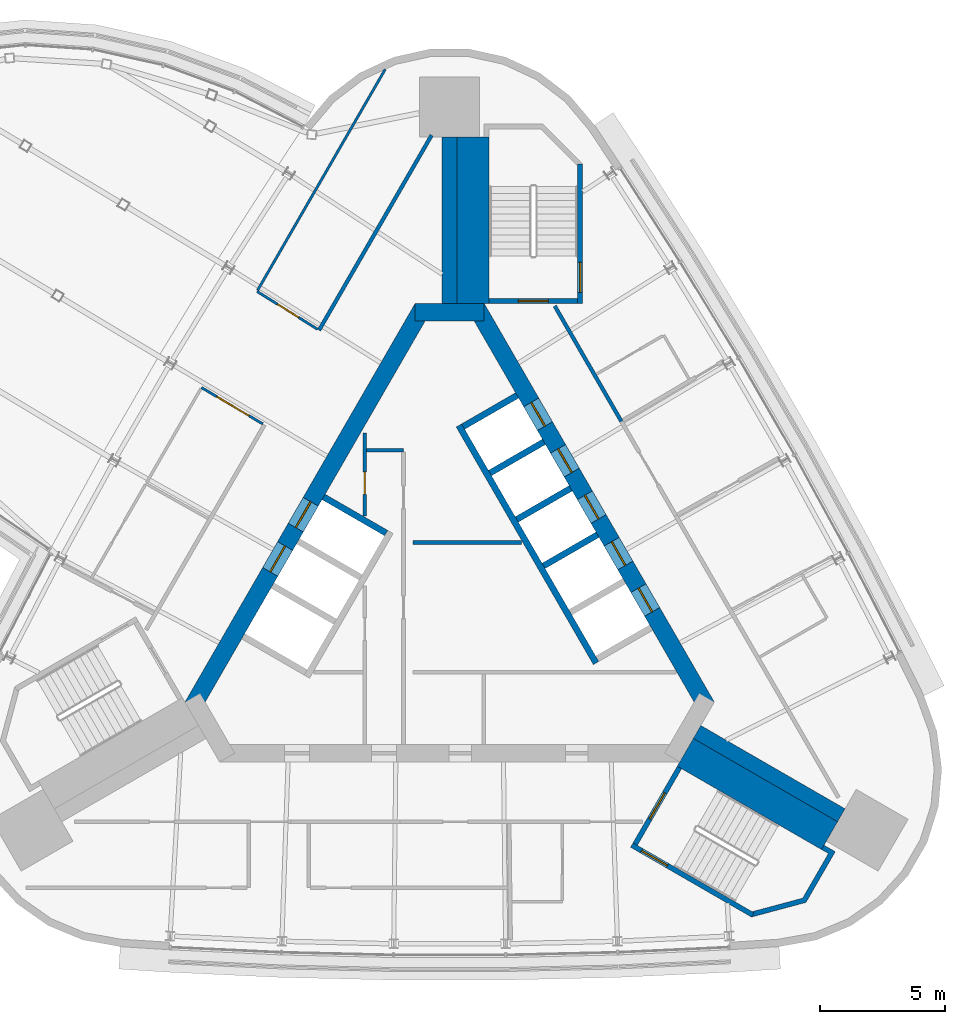
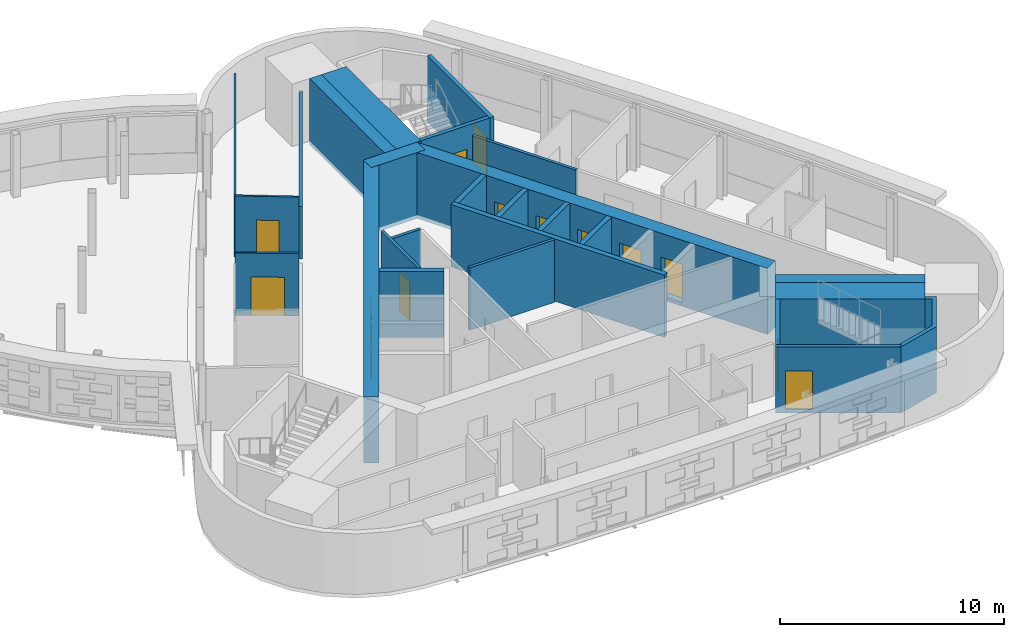
# One storey, part 10 of 13: 26 walls, 14 doors, 14 openings.
"""IFC4 building model written with IfcOpenShell, lengths in metres."""

from ifc_helpers import new_model, si_unit, direction, frame, frame_2d, origin, place, context, subcontext, project, spatial, polyline, rectangle, outline, extrude, material, layer, layer_set, type_object, element, fill, save


model = new_model("IFC4")

# Units and contexts
model_context = context("Model", 3, precision=1e-05, world=origin(), true_north=direction((0.0, 1.0)))
body_context = subcontext(model_context, "Body", "Model", "MODEL_VIEW")
ifc_project = project(units=[si_unit("LENGTHUNIT", "METRE"), si_unit("AREAUNIT", "SQUARE_METRE"), si_unit("VOLUMEUNIT", "CUBIC_METRE"), si_unit("PLANEANGLEUNIT", "RADIAN"), si_unit("MASSUNIT", "GRAM", prefix="KILO")], contexts=[model_context])

# Site, building, storey
site_placement = place(None, origin())
site = spatial("IfcSite", under=ifc_project, at=site_placement, CompositionType="ELEMENT")
building_placement = place(site_placement, origin())
building = spatial("IfcBuilding", under=site, at=building_placement, Name="Noor Cloister Tower", CompositionType="ELEMENT")
storey_placement = place(building_placement, frame((0.0, 0.0, 267.0)))
storey = spatial("IfcBuildingStorey", under=building, at=storey_placement, Name="L68", CompositionType="ELEMENT", Elevation=267.0)

# Walls
ifc_material_1 = material(Name="Concrete C60/75", Category="concrete")
ifc_layer_1 = layer(ifc_material_1, 0.60009765625)
ifc_layer_set_1 = layer_set([ifc_layer_1], Name="Buttress wall 600 C60/75")
wall_type_1 = type_object("IfcWallType", Name="Buttress wall 600 C60/75", PredefinedType="SHEAR", material=ifc_layer_set_1)
wall_1_placement = place(storey_placement, frame((0.0, 11.456298828125, -0.199951171875), z_axis=(0.0, 0.0, 1.0), x_axis=(0.0, 1.0, 0.0)))
element("IfcWall", 1, at=wall_1_placement, inside=storey, type_object=wall_type_1, Name="Buttress wall N L68", PredefinedType="SHEAR", context=body_context, shape_type="SweptSolid", body=[
    extrude(rectangle(XDim=6.6787109375, YDim=0.60009765625, at=frame_2d((3.33935546875, 0.0))), origin(), (0.0, 0.0, 1.0), 3.599853515625),
])
wall_2_placement = place(storey_placement, frame((9.921630859375, -5.728271484375, -0.199951171875), z_axis=(0.0, 0.0, 1.0), x_axis=(0.866032176823, -0.499988268569, 0.0)))
element("IfcWall", 2, at=wall_2_placement, inside=storey, type_object=wall_type_1, Name="Buttress wall SE L68", PredefinedType="SHEAR", context=body_context, shape_type="SweptSolid", body=[
    extrude(rectangle(XDim=6.678466796875, YDim=0.60009765625, at=frame_2d((3.33935546875, 0.0))), origin(), (0.0, 0.0, 1.0), 3.599853515625),
])

# Wall, opening, door
ifc_material_2 = material(Name="Concrete C30/37", Category="concrete")
ifc_layer_2 = layer(ifc_material_2, 0.14990234375)
ifc_layer_set_2 = layer_set([ifc_layer_2], Name="Core partition 150 C30/37")
wall_type_2 = type_object("IfcWallType", Name="Core partition 150 C30/37", PredefinedType="PARTITIONING", material=ifc_layer_set_2)
wall_3_placement = place(storey_placement, frame((-3.40380859375, 6.260986328125, 0.0), z_axis=(0.0, 0.0, 1.0), x_axis=(0.0, -1.0, 0.0)))
wall_3 = element("IfcWall", 3, at=wall_3_placement, inside=storey, type_object=wall_type_2, Name="Core room partition L68 3", PredefinedType="PARTITIONING", context=body_context, shape_type="SweptSolid", body=[
    extrude(rectangle(XDim=3.3271484375, YDim=0.14990234375, at=frame_2d((1.66357421875, 0.0))), origin(), (0.0, 0.0, 1.0), 3.39990234375),
])
opening_1_placement = place(wall_3_placement, frame((1.55712890625, 0.0, 0.0)))
opening_1 = element("IfcOpeningElement", 4, at=opening_1_placement, cuts=wall_3, Name="Opening L68-907", PredefinedType="OPENING", context=body_context, shape_type="SweptSolid", body=[
    extrude(rectangle(XDim=0.89990234375, YDim=2.10009765625, at=frame_2d((0.449951171875, 1.050048828125))), frame((0.0, 0.0849609375, 0.0), z_axis=(0.0, -1.0, 0.0), x_axis=(1.0, 0.0, 0.0)), (0.0, 0.0, 1.0), 0.169921875),
])
ifc_material_3 = material(Name="Steel", Category="steel")
door_type_1 = type_object("IfcDoorType", Name="Core door 900 x 2100 FD120", OperationType="SINGLE_SWING_LEFT", PredefinedType="DOOR", material=ifc_material_3)
door_1_placement = place(opening_1_placement, origin())
door_1 = element("IfcDoor", 5, at=door_1_placement, inside=storey, type_object=door_type_1, Name="Core door 7 L68", OperationType="SINGLE_SWING_LEFT", OverallHeight=2.10009765625, OverallWidth=0.89990234375, PredefinedType="DOOR", context=body_context, shape_type="SweptSolid", body=[
    extrude(rectangle(XDim=0.89990234375, YDim=2.10009765625, at=frame_2d((0.449951171875, 1.050048828125))), frame((0.0, 0.02490234375, 0.0), z_axis=(0.0, -1.0, 0.0), x_axis=(1.0, 0.0, 0.0)), (0.0, 0.0, 1.0), 0.050048828125),
])
fill(opening_1, door_1)

# Walls
wall_4_placement = place(storey_placement, frame((-3.32861328125, 5.57177734375, 0.0), z_axis=(0.0, 0.0, 1.0), x_axis=(1.0, 0.0, 0.0)))
element("IfcWall", 6, at=wall_4_placement, inside=storey, type_object=wall_type_2, Name="Core room partition L68 4", PredefinedType="PARTITIONING", context=body_context, shape_type="SweptSolid", body=[
    extrude(rectangle(XDim=1.474853515625, YDim=0.14990234375, at=frame_2d((0.7373046875, 0.0))), origin(), (0.0, 0.0, 1.0), 3.39990234375),
])
wall_5_placement = place(storey_placement, frame((-1.478759765625, 1.871826171875, 0.0), z_axis=(0.0, 0.0, 1.0), x_axis=(1.0, 0.0, 0.0)))
element("IfcWall", 7, at=wall_5_placement, inside=storey, type_object=wall_type_2, Name="Core room partition L68 7", PredefinedType="PARTITIONING", context=body_context, shape_type="SweptSolid", body=[
    extrude(rectangle(XDim=4.369384765625, YDim=0.14990234375, at=frame_2d((2.1845703125, 0.0))), origin(), (0.0, 0.0, 1.0), 3.39990234375),
])

# Wall, openings, doors
ifc_material_4 = material(Name="Concrete C60/75", Category="concrete")
ifc_layer_3 = layer(ifc_material_4, 0.699951171875)
ifc_layer_set_3 = layer_set([ifc_layer_3], Name="Core wall 700 C60/75")
wall_type_3 = type_object("IfcWallType", Name="Core wall 700 C60/75", PredefinedType="SHEAR", material=ifc_layer_set_3)
wall_6_placement = place(storey_placement, frame((10.311279296875, -4.703125, -0.199951171875), z_axis=(0.0, 0.0, 1.0), x_axis=(-0.500001446645, 0.866024568562, 0.0)))
wall_6 = element("IfcWall", 8, at=wall_6_placement, inside=storey, type_object=wall_type_3, Name="Core wall L68 3", PredefinedType="SHEAR", context=body_context, shape_type="SweptSolid", body=[
    extrude(rectangle(XDim=18.45751953125, YDim=0.699951171875, at=frame_2d((9.228759765625, 0.0))), origin(), (0.0, 0.0, 1.0), 3.599853515625),
])
opening_2_placement = place(wall_6_placement, frame((4.378662109375, 0.0, 0.199951171875)))
opening_2 = element("IfcOpeningElement", 9, at=opening_2_placement, cuts=wall_6, Name="Opening L68-HR1", PredefinedType="OPENING", context=body_context, shape_type="SweptSolid", body=[
    extrude(rectangle(XDim=1.10009765625, YDim=2.10009765625, at=frame_2d((0.550048828125, 1.050048828125))), frame((0.0, 0.35986328125, 0.0), z_axis=(0.0, -1.0, 0.0), x_axis=(1.0, 0.0, 0.0)), (0.0, 0.0, 1.0), 0.719970703125),
])
opening_3_placement = place(wall_6_placement, frame((6.52880859375, 0.0, 0.199951171875)))
opening_3 = element("IfcOpeningElement", 10, at=opening_3_placement, cuts=wall_6, Name="Opening L68-HR2", PredefinedType="OPENING", context=body_context, shape_type="SweptSolid", body=[
    extrude(rectangle(XDim=1.10009765625, YDim=2.10009765625, at=frame_2d((0.550048828125, 1.050048828125))), frame((0.0, 0.35986328125, 0.0), z_axis=(0.0, -1.0, 0.0), x_axis=(1.0, 0.0, 0.0)), (0.0, 0.0, 1.0), 0.719970703125),
])
opening_4_placement = place(wall_6_placement, frame((8.6787109375, 0.0, 0.199951171875)))
opening_4 = element("IfcOpeningElement", 11, at=opening_4_placement, cuts=wall_6, Name="Opening L68-HR3", PredefinedType="OPENING", context=body_context, shape_type="SweptSolid", body=[
    extrude(rectangle(XDim=1.10009765625, YDim=2.10009765625, at=frame_2d((0.550048828125, 1.050048828125))), frame((0.0, 0.35986328125, 0.0), z_axis=(0.0, -1.0, 0.0), x_axis=(1.0, 0.0, 0.0)), (0.0, 0.0, 1.0), 0.719970703125),
])
opening_5_placement = place(wall_6_placement, frame((10.82861328125, 0.0, 0.199951171875)))
opening_5 = element("IfcOpeningElement", 12, at=opening_5_placement, cuts=wall_6, Name="Opening L68-HR4", PredefinedType="OPENING", context=body_context, shape_type="SweptSolid", body=[
    extrude(rectangle(XDim=1.10009765625, YDim=2.10009765625, at=frame_2d((0.550048828125, 1.050048828125))), frame((0.0, 0.35986328125, 0.0), z_axis=(0.0, -1.0, 0.0), x_axis=(1.0, 0.0, 0.0)), (0.0, 0.0, 1.0), 0.719970703125),
])
opening_6_placement = place(wall_6_placement, frame((12.978759765625, 0.0, 0.199951171875)))
opening_6 = element("IfcOpeningElement", 13, at=opening_6_placement, cuts=wall_6, Name="Opening L68-HR5", PredefinedType="OPENING", context=body_context, shape_type="SweptSolid", body=[
    extrude(rectangle(XDim=1.10009765625, YDim=2.10009765625, at=frame_2d((0.550048828125, 1.050048828125))), frame((0.0, 0.35986328125, 0.0), z_axis=(0.0, -1.0, 0.0), x_axis=(1.0, 0.0, 0.0)), (0.0, 0.0, 1.0), 0.719970703125),
])
ifc_material_5 = material(Name="Stainless steel", Category="steel")
door_type_2 = type_object("IfcDoorType", Name="Lift landing door 1100 x 2100", OperationType="DOUBLE_DOOR_SLIDING", PredefinedType="DOOR", material=ifc_material_5)
door_2_placement = place(opening_2_placement, origin())
door_2 = element("IfcDoor", 14, at=door_2_placement, inside=storey, type_object=door_type_2, Name="Landing door HR1 L68", OperationType="DOUBLE_DOOR_SLIDING", OverallHeight=2.10009765625, OverallWidth=1.10009765625, PredefinedType="DOOR", context=body_context, shape_type="SweptSolid", body=[
    extrude(rectangle(XDim=1.10009765625, YDim=2.10009765625, at=frame_2d((0.550048828125, 1.050048828125))), frame((0.0, 0.02490234375, 0.0), z_axis=(0.0, -1.0, 0.0), x_axis=(1.0, 0.0, 0.0)), (0.0, 0.0, 1.0), 0.050048828125),
])
fill(opening_2, door_2)
door_3_placement = place(opening_3_placement, origin())
door_3 = element("IfcDoor", 15, at=door_3_placement, inside=storey, type_object=door_type_2, Name="Landing door HR2 L68", OperationType="DOUBLE_DOOR_SLIDING", OverallHeight=2.10009765625, OverallWidth=1.10009765625, PredefinedType="DOOR", context=body_context, shape_type="SweptSolid", body=[
    extrude(rectangle(XDim=1.10009765625, YDim=2.10009765625, at=frame_2d((0.550048828125, 1.050048828125))), frame((0.0, 0.02490234375, 0.0), z_axis=(0.0, -1.0, 0.0), x_axis=(1.0, 0.0, 0.0)), (0.0, 0.0, 1.0), 0.050048828125),
])
fill(opening_3, door_3)
door_4_placement = place(opening_4_placement, origin())
door_4 = element("IfcDoor", 16, at=door_4_placement, inside=storey, type_object=door_type_2, Name="Landing door HR3 L68", OperationType="DOUBLE_DOOR_SLIDING", OverallHeight=2.10009765625, OverallWidth=1.10009765625, PredefinedType="DOOR", context=body_context, shape_type="SweptSolid", body=[
    extrude(rectangle(XDim=1.10009765625, YDim=2.10009765625, at=frame_2d((0.550048828125, 1.050048828125))), frame((0.0, 0.02490234375, 0.0), z_axis=(0.0, -1.0, 0.0), x_axis=(1.0, 0.0, 0.0)), (0.0, 0.0, 1.0), 0.050048828125),
])
fill(opening_4, door_4)
door_5_placement = place(opening_5_placement, origin())
door_5 = element("IfcDoor", 17, at=door_5_placement, inside=storey, type_object=door_type_2, Name="Landing door HR4 L68", OperationType="DOUBLE_DOOR_SLIDING", OverallHeight=2.10009765625, OverallWidth=1.10009765625, PredefinedType="DOOR", context=body_context, shape_type="SweptSolid", body=[
    extrude(rectangle(XDim=1.10009765625, YDim=2.10009765625, at=frame_2d((0.550048828125, 1.050048828125))), frame((0.0, 0.02490234375, 0.0), z_axis=(0.0, -1.0, 0.0), x_axis=(1.0, 0.0, 0.0)), (0.0, 0.0, 1.0), 0.050048828125),
])
fill(opening_5, door_5)
door_6_placement = place(opening_6_placement, origin())
door_6 = element("IfcDoor", 18, at=door_6_placement, inside=storey, type_object=door_type_2, Name="Landing door HR5 L68", OperationType="DOUBLE_DOOR_SLIDING", OverallHeight=2.10009765625, OverallWidth=1.10009765625, PredefinedType="DOOR", context=body_context, shape_type="SweptSolid", body=[
    extrude(rectangle(XDim=1.10009765625, YDim=2.10009765625, at=frame_2d((0.550048828125, 1.050048828125))), frame((0.0, 0.02490234375, 0.0), z_axis=(0.0, -1.0, 0.0), x_axis=(1.0, 0.0, 0.0)), (0.0, 0.0, 1.0), 0.050048828125),
])
fill(opening_6, door_6)

# Wall
wall_7_placement = place(storey_placement, frame((1.3857421875, 11.1064453125, -0.199951171875), z_axis=(0.0, 0.0, 1.0), x_axis=(-1.0, 0.0, 0.0)))
element("IfcWall", 19, at=wall_7_placement, inside=storey, type_object=wall_type_3, Name="Core wall L68 4", PredefinedType="SHEAR", context=body_context, shape_type="SweptSolid", body=[
    extrude(rectangle(XDim=2.771484375, YDim=0.699951171875, at=frame_2d((1.3857421875, 0.0))), origin(), (0.0, 0.0, 1.0), 3.599853515625),
])

# Wall, openings, doors
wall_8_placement = place(storey_placement, frame((-1.08251953125, 11.281494140625, -0.199951171875), z_axis=(0.0, 0.0, 1.0), x_axis=(-0.500001446645, -0.866024568562, 0.0)))
wall_8 = element("IfcWall", 20, at=wall_8_placement, inside=storey, type_object=wall_type_3, Name="Core wall L68 5", PredefinedType="SHEAR", context=body_context, shape_type="SweptSolid", body=[
    extrude(rectangle(XDim=18.45751953125, YDim=0.699951171875, at=frame_2d((9.228759765625, 0.0))), origin(), (0.0, 0.0, 1.0), 3.599853515625),
])
opening_7_placement = place(wall_8_placement, frame((8.978759765625, 0.0, 0.199951171875)))
opening_7 = element("IfcOpeningElement", 21, at=opening_7_placement, cuts=wall_8, Name="Opening L68-FF1", PredefinedType="OPENING", context=body_context, shape_type="SweptSolid", body=[
    extrude(rectangle(XDim=1.199951171875, YDim=2.10009765625, at=frame_2d((0.60009765625, 1.050048828125))), frame((0.0, 0.35986328125, 0.0), z_axis=(0.0, -1.0, 0.0), x_axis=(1.0, 0.0, 0.0)), (0.0, 0.0, 1.0), 0.719970703125),
])
opening_8_placement = place(wall_8_placement, frame((11.02880859375, 0.0, 0.199951171875)))
opening_8 = element("IfcOpeningElement", 22, at=opening_8_placement, cuts=wall_8, Name="Opening L68-FF2", PredefinedType="OPENING", context=body_context, shape_type="SweptSolid", body=[
    extrude(rectangle(XDim=1.199951171875, YDim=2.10009765625, at=frame_2d((0.60009765625, 1.050048828125))), frame((0.0, 0.35986328125, 0.0), z_axis=(0.0, -1.0, 0.0), x_axis=(1.0, 0.0, 0.0)), (0.0, 0.0, 1.0), 0.719970703125),
])
ifc_material_6 = material(Name="Stainless steel", Category="steel")
door_type_3 = type_object("IfcDoorType", Name="Lift landing door 1200 x 2100", OperationType="DOUBLE_DOOR_SLIDING", PredefinedType="DOOR", material=ifc_material_6)
door_7_placement = place(opening_7_placement, origin())
door_7 = element("IfcDoor", 23, at=door_7_placement, inside=storey, type_object=door_type_3, Name="Landing door FF1 L68", OperationType="DOUBLE_DOOR_SLIDING", OverallHeight=2.10009765625, OverallWidth=1.199951171875, PredefinedType="DOOR", context=body_context, shape_type="SweptSolid", body=[
    extrude(rectangle(XDim=1.199951171875, YDim=2.10009765625, at=frame_2d((0.60009765625, 1.050048828125))), frame((0.0, 0.02490234375, 0.0), z_axis=(0.0, -1.0, 0.0), x_axis=(1.0, 0.0, 0.0)), (0.0, 0.0, 1.0), 0.050048828125),
])
fill(opening_7, door_7)
door_8_placement = place(opening_8_placement, origin())
door_8 = element("IfcDoor", 24, at=door_8_placement, inside=storey, type_object=door_type_3, Name="Landing door FF2 L68", OperationType="DOUBLE_DOOR_SLIDING", OverallHeight=2.10009765625, OverallWidth=1.199951171875, PredefinedType="DOOR", context=body_context, shape_type="SweptSolid", body=[
    extrude(rectangle(XDim=1.199951171875, YDim=2.10009765625, at=frame_2d((0.60009765625, 1.050048828125))), frame((0.0, 0.02490234375, 0.0), z_axis=(0.0, -1.0, 0.0), x_axis=(1.0, 0.0, 0.0)), (0.0, 0.0, 1.0), 0.050048828125),
])
fill(opening_8, door_8)

# Walls
ifc_material_7 = material(Name="Fire-rated gypsum board partition on steel studs, 150 mm", Category="steel")
ifc_layer_4 = layer(ifc_material_7, 0.14990234375)
ifc_layer_set_4 = layer_set([ifc_layer_4], Name="Fire lobby wall 150")
wall_type_4 = type_object("IfcWallType", Name="Fire lobby wall 150", PredefinedType="PARTITIONING", material=ifc_layer_set_4)
wall_9_placement = place(storey_placement, frame((-0.72265625, 18.20458984375, 0.0), z_axis=(0.0, 0.0, 1.0), x_axis=(-0.500010391421, -0.866019404212, 0.0)))
element("IfcWall", 25, at=wall_9_placement, inside=storey, type_object=wall_type_4, Name="Wall L68-W21", PredefinedType="PARTITIONING", context=body_context, shape_type="SweptSolid", body=[
    extrude(rectangle(XDim=9.027587890625, YDim=0.14990234375, at=frame_2d((4.513671875, 0.0))), origin(), (0.0, 0.0, 1.0), 2.85205078125),
])
ifc_material_8 = material(Name="Gypsum board partition on steel studs, 150 mm", Category="steel")
ifc_layer_5 = layer(ifc_material_8, 0.14990234375)
ifc_layer_set_5 = layer_set([ifc_layer_5], Name="Flat wall 150")
wall_type_5 = type_object("IfcWallType", Name="Flat wall 150", PredefinedType="PARTITIONING", material=ifc_layer_set_5)
wall_10_placement = place(storey_placement, frame((6.885009765625, 6.731201171875, 0.0), z_axis=(0.0, 0.0, 1.0), x_axis=(-0.500003399299, 0.866023441189, 0.0)))
element("IfcWall", 26, at=wall_10_placement, inside=storey, type_object=wall_type_5, Name="Wall L68-W02", PredefinedType="PARTITIONING", context=body_context, shape_type="SweptSolid", body=[
    extrude(rectangle(XDim=5.3408203125, YDim=0.14990234375, at=frame_2d((2.67041015625, 0.0))), origin(), (0.0, 0.0, 1.0), 2.85205078125),
])

# Wall, opening, door
ifc_material_9 = material(Name="Gypsum board partition on steel studs, 100 mm", Category="steel")
ifc_layer_6 = layer(ifc_material_9, 0.10009765625)
ifc_layer_set_6 = layer_set([ifc_layer_6], Name="Partition 100")
wall_type_6 = type_object("IfcWallType", Name="Partition 100", PredefinedType="PARTITIONING", material=ifc_layer_set_6)
wall_11_placement = place(storey_placement, frame((-5.30029296875, 10.426025390625, 0.0), z_axis=(0.0, 0.0, 1.0), x_axis=(-0.84806062783, 0.529899208835, 0.0)))
wall_11 = element("IfcWall", 27, at=wall_11_placement, inside=storey, type_object=wall_type_6, Name="Wall L68-W24", PredefinedType="PARTITIONING", context=body_context, shape_type="SweptSolid", body=[
    extrude(rectangle(XDim=2.860595703125, YDim=0.10009765625, at=frame_2d((1.43017578125, 0.0))), origin(), (0.0, 0.0, 1.0), 3.39990234375),
])
opening_9_placement = place(wall_11_placement, frame((0.892822265625, 0.0, 0.0)))
opening_9 = element("IfcOpeningElement", 28, at=opening_9_placement, cuts=wall_11, Name="Opening L68-014", PredefinedType="OPENING", context=body_context, shape_type="SweptSolid", body=[
    extrude(rectangle(XDim=1.0, YDim=2.10009765625, at=frame_2d((0.5, 1.050048828125))), frame((0.0, 0.06005859375, 0.0), z_axis=(0.0, -1.0, 0.0), x_axis=(1.0, 0.0, 0.0)), (0.0, 0.0, 1.0), 0.1201171875),
])
ifc_material_10 = material(Name="Timber door leaf with steel frame", Category="steel")
door_type_4 = type_object("IfcDoorType", Name="Interior door 1000", OperationType="NOTDEFINED", PredefinedType="DOOR", material=ifc_material_10)
door_9_placement = place(opening_9_placement, origin())
door_9 = element("IfcDoor", 29, at=door_9_placement, inside=storey, type_object=door_type_4, Name="Door L68-014", OperationType="SINGLE_SWING_RIGHT", OverallHeight=2.10009765625, OverallWidth=1.0, PredefinedType="DOOR", context=body_context, shape_type="SweptSolid", body=[
    extrude(rectangle(XDim=1.0, YDim=2.10009765625, at=frame_2d((0.5, 1.050048828125))), frame((0.0, 0.02490234375, 0.0), z_axis=(0.0, -1.0, 0.0), x_axis=(1.0, 0.0, 0.0)), (0.0, 0.0, 1.0), 0.050048828125),
])
fill(opening_9, door_9)

wall_12_placement = place(storey_placement, frame((-7.49365234375, 6.626953125, 0.0), z_axis=(0.0, 0.0, 1.0), x_axis=(-0.860170843297, 0.510006000299, 0.0)))
wall_12 = element("IfcWall", 30, at=wall_12_placement, inside=storey, type_object=wall_type_6, Name="Wall L68-W25", PredefinedType="PARTITIONING", context=body_context, shape_type="SweptSolid", body=[
    extrude(rectangle(XDim=2.859375, YDim=0.10009765625, at=frame_2d((1.4296875, 0.0))), origin(), (0.0, 0.0, 1.0), 3.39990234375),
])
opening_10_placement = place(wall_12_placement, frame((0.64208984375, 0.0, 0.0)))
opening_10 = element("IfcOpeningElement", 31, at=opening_10_placement, cuts=wall_12, Name="Opening L68-015", PredefinedType="OPENING", context=body_context, shape_type="SweptSolid", body=[
    extrude(rectangle(XDim=1.5, YDim=2.10009765625, at=frame_2d((0.75, 1.050048828125))), frame((0.0, 0.06005859375, 0.0), z_axis=(0.0, -1.0, 0.0), x_axis=(1.0, 0.0, 0.0)), (0.0, 0.0, 1.0), 0.1201171875),
])
ifc_material_11 = material(Name="Timber door leaf with steel frame", Category="steel")
door_type_5 = type_object("IfcDoorType", Name="Double door 1500", OperationType="NOTDEFINED", PredefinedType="DOOR", material=ifc_material_11)
door_10_placement = place(opening_10_placement, origin())
door_10 = element("IfcDoor", 32, at=door_10_placement, inside=storey, type_object=door_type_5, Name="Door L68-015", OperationType="DOUBLE_DOOR_SINGLE_SWING", OverallHeight=2.10009765625, OverallWidth=1.5, PredefinedType="DOOR", context=body_context, shape_type="SweptSolid", body=[
    extrude(rectangle(XDim=1.5, YDim=2.10009765625, at=frame_2d((0.75, 1.050048828125))), frame((0.0, 0.02490234375, 0.0), z_axis=(0.0, -1.0, 0.0), x_axis=(1.0, 0.0, 0.0)), (0.0, 0.0, 1.0), 0.050048828125),
])
fill(opening_10, door_10)

# Walls
wall_13_placement = place(storey_placement, frame((-2.585693359375, 20.845947265625, 0.0), z_axis=(0.0, 0.0, 1.0), x_axis=(-0.499993724355, -0.866029026999, 0.0)))
element("IfcWall", 33, at=wall_13_placement, inside=storey, type_object=wall_type_6, Name="Wall L68-W27", PredefinedType="PARTITIONING", context=body_context, shape_type="SweptSolid", body=[
    extrude(rectangle(XDim=10.231689453125, YDim=0.10009765625, at=frame_2d((5.11572265625, 0.0))), origin(), (0.0, 0.0, 1.0), 2.85205078125),
])
ifc_material_12 = material(Name="Concrete C60/75", Category="concrete")
ifc_layer_7 = layer(ifc_material_12, 0.25)
ifc_layer_set_7 = layer_set([ifc_layer_7], Name="Shaft wall 250 C60/75")
wall_type_7 = type_object("IfcWallType", Name="Shaft wall 250 C60/75", PredefinedType="PARTITIONING", material=ifc_layer_set_7)
wall_14_placement = place(storey_placement, frame((5.931396484375, 2.18310546875, -0.199951171875), z_axis=(0.0, 0.0, 1.0), x_axis=(-0.866047370643, -0.499961950354, 0.0)))
element("IfcWall", 34, at=wall_14_placement, inside=storey, type_object=wall_type_7, Name="Lift shaft wall L68 NE 3", PredefinedType="PARTITIONING", context=body_context, shape_type="SweptSolid", body=[
    extrude(rectangle(XDim=2.500244140625, YDim=0.25, at=frame_2d((1.25, 0.0))), origin(), (0.0, 0.0, 1.0), 3.599853515625),
])
for number, where, z_axis, x_axis, name in (
    (35, (4.856201171875, 4.045166015625, -0.199951171875), (0.0, 0.0, 1.0), (-0.866022959057, -0.500004234368, 0.0), "Lift shaft wall L68 NE 4"),
    (36, (3.78125, 5.906982421875, -0.199951171875), (0.0, 0.0, 1.0), (-0.866022959057, -0.500004234368, 0.0), "Lift shaft wall L68 NE 5"),
    (37, (2.706298828125, 7.76904296875, -0.199951171875), (0.0, 0.0, 1.0), (-0.866022959057, -0.500004234368, 0.0), "Lift shaft wall L68 NE 6"),
):
    element("IfcWall", number, at=place(storey_placement, frame(where, z_axis=z_axis, x_axis=x_axis)), inside=storey, type_object=wall_type_7, Name=name, PredefinedType="PARTITIONING", context=body_context, shape_type="SweptSolid", body=[
        extrude(rectangle(XDim=2.5, YDim=0.25, at=frame_2d((1.25, 0.0))), origin(), (0.0, 0.0, 1.0), 3.599853515625),
    ])
wall_15_placement = place(storey_placement, frame((5.870361328125, -2.96142578125, 0.0), z_axis=(0.0, 0.0, 1.0), x_axis=(-0.50000615651, 0.866021849293, 0.0)))
element("IfcWall", 38, at=wall_15_placement, inside=storey, type_object=wall_type_7, Name="Lift shaft back wall L68 NE", PredefinedType="PARTITIONING", context=body_context, shape_type="SweptSolid", body=[
    extrude(rectangle(XDim=10.999755859375, YDim=0.25, at=frame_2d((5.5, 0.0))), origin(), (0.0, 0.0, 1.0), 3.39990234375),
])
wall_16_placement = place(storey_placement, frame((-5.056396484375, 3.69873046875, -0.199951171875), z_axis=(0.0, 0.0, 1.0), x_axis=(0.866032775405, -0.499987231761, 0.0)))
element("IfcWall", 39, at=wall_16_placement, inside=storey, type_object=wall_type_7, Name="Lift shaft wall L68 NW 3", PredefinedType="PARTITIONING", context=body_context, shape_type="SweptSolid", body=[
    extrude(rectangle(XDim=2.89990234375, YDim=0.25, at=frame_2d((1.449951171875, 0.0))), origin(), (0.0, 0.0, 1.0), 3.599853515625),
])
ifc_material_13 = material(Name="Concrete C60/75", Category="concrete")
ifc_layer_8 = layer(ifc_material_13, 1.285888671875)
ifc_layer_set_8 = layer_set([ifc_layer_8], Name="Stair enclosure wall 1286 C60/75")
wall_type_8 = type_object("IfcWallType", Name="Stair enclosure wall 1286 C60/75", PredefinedType="SHEAR", material=ifc_layer_set_8)
wall_17_placement = place(storey_placement, frame((0.94287109375, 11.456298828125, -0.199951171875), z_axis=(0.0, 0.0, 1.0), x_axis=(0.0, 1.0, 0.0)))
element("IfcWall", 40, at=wall_17_placement, inside=storey, type_object=wall_type_8, Name="Stair enclosure wall ST1 L68 riser side", PredefinedType="SHEAR", context=body_context, shape_type="SweptSolid", body=[
    extrude(rectangle(XDim=6.6787109375, YDim=1.28564453125, at=frame_2d((3.33935546875, 0.0))), origin(), (0.0, 0.0, 1.0), 3.599853515625),
])
wall_18_placement = place(storey_placement, frame((9.4501953125, -6.544677734375, -0.199951171875), z_axis=(0.0, 0.0, 1.0), x_axis=(0.866016347338, -0.500015685897, 0.0)))
element("IfcWall", 41, at=wall_18_placement, inside=storey, type_object=wall_type_8, Name="Stair enclosure wall ST3 L68 riser side", PredefinedType="SHEAR", context=body_context, shape_type="SweptSolid", body=[
    extrude(rectangle(XDim=6.678466796875, YDim=1.28564453125, at=frame_2d((3.33935546875, 0.0))), origin(), (0.0, 0.0, 1.0), 3.599853515625),
])

# Wall, opening, door
ifc_material_14 = material(Name="Concrete C60/75", Category="concrete")
ifc_layer_9 = layer(ifc_material_14, 0.199951171875)
ifc_layer_set_9 = layer_set([ifc_layer_9], Name="Stair enclosure wall 200 C60/75")
wall_type_9 = type_object("IfcWallType", Name="Stair enclosure wall 200 C60/75", PredefinedType="SHEAR", material=ifc_layer_set_9)
wall_19_placement = place(storey_placement, frame((5.135498046875, 11.556396484375, -0.199951171875), z_axis=(0.0, 0.0, 1.0), x_axis=(-1.0, 0.0, 0.0)))
wall_19 = element("IfcWall", 42, at=wall_19_placement, inside=storey, type_object=wall_type_9, Name="Stair enclosure wall ST1 L68 near end", PredefinedType="SHEAR", context=body_context, shape_type="SweptSolid", body=[
    extrude(rectangle(XDim=3.5498046875, YDim=0.199951171875, at=frame_2d((1.77490234375, 0.0))), origin(), (0.0, 0.0, 1.0), 3.599853515625),
])
opening_11_placement = place(wall_19_placement, frame((1.175048828125, 0.0, 0.199951171875)))
opening_11 = element("IfcOpeningElement", 43, at=opening_11_placement, cuts=wall_19, Name="Opening L68-ST1L", PredefinedType="OPENING", context=body_context, shape_type="SweptSolid", body=[
    extrude(rectangle(XDim=1.199951171875, YDim=2.10009765625, at=frame_2d((0.60009765625, 1.050048828125))), frame((0.0, 0.10986328125, 0.0), z_axis=(0.0, -1.0, 0.0), x_axis=(1.0, 0.0, 0.0)), (0.0, 0.0, 1.0), 0.219970703125),
])
ifc_material_15 = material(Name="Steel", Category="steel")
door_type_6 = type_object("IfcDoorType", Name="Stair door 1200 x 2100 FD120", OperationType="SINGLE_SWING_LEFT", PredefinedType="DOOR", material=ifc_material_15)
door_11_placement = place(opening_11_placement, origin())
door_11 = element("IfcDoor", 44, at=door_11_placement, inside=storey, type_object=door_type_6, Name="Stair door ST1 L68", OperationType="SINGLE_SWING_RIGHT", OverallHeight=2.10009765625, OverallWidth=1.199951171875, PredefinedType="DOOR", context=body_context, shape_type="SweptSolid", body=[
    extrude(rectangle(XDim=1.199951171875, YDim=2.10009765625, at=frame_2d((0.60009765625, 1.050048828125))), frame((0.0, 0.02490234375, 0.0), z_axis=(0.0, -1.0, 0.0), x_axis=(1.0, 0.0, 0.0)), (0.0, 0.0, 1.0), 0.050048828125),
])
fill(opening_11, door_11)

wall_20_placement = place(storey_placement, frame((5.235595703125, 11.456298828125, -0.199951171875), z_axis=(0.0, 0.0, 1.0), x_axis=(0.0, 1.0, 0.0)))
wall_20 = element("IfcWall", 45, at=wall_20_placement, inside=storey, type_object=wall_type_9, Name="Stair enclosure wall ST1 L68 outer side", PredefinedType="SHEAR", context=body_context, shape_type="SweptSolid", body=[
    extrude(rectangle(XDim=5.60009765625, YDim=0.199951171875, at=frame_2d((2.800048828125, 0.0))), origin(), (0.0, 0.0, 1.0), 3.599853515625),
])
opening_12_placement = place(wall_20_placement, frame((0.449951171875, 0.0, 0.199951171875)))
opening_12 = element("IfcOpeningElement", 46, at=opening_12_placement, cuts=wall_20, Name="Opening L68-ST1C", PredefinedType="OPENING", context=body_context, shape_type="SweptSolid", body=[
    extrude(rectangle(XDim=1.199951171875, YDim=2.10009765625, at=frame_2d((0.60009765625, 1.050048828125))), frame((0.0, 0.10986328125, 0.0), z_axis=(0.0, -1.0, 0.0), x_axis=(1.0, 0.0, 0.0)), (0.0, 0.0, 1.0), 0.219970703125),
])
door_12_placement = place(opening_12_placement, origin())
door_12 = element("IfcDoor", 47, at=door_12_placement, inside=storey, type_object=door_type_6, Name="Stair door ST1 L68", OperationType="SINGLE_SWING_LEFT", OverallHeight=2.10009765625, OverallWidth=1.199951171875, PredefinedType="DOOR", context=body_context, shape_type="SweptSolid", body=[
    extrude(rectangle(XDim=1.199951171875, YDim=2.10009765625, at=frame_2d((0.60009765625, 1.050048828125))), frame((0.0, 0.02490234375, 0.0), z_axis=(0.0, -1.0, 0.0), x_axis=(1.0, 0.0, 0.0)), (0.0, 0.0, 1.0), 0.050048828125),
])
fill(opening_12, door_12)

wall_21_placement = place(storey_placement, frame((7.440185546875, -10.225830078125, -0.199951171875), z_axis=(0.0, 0.0, 1.0), x_axis=(0.500022077904, 0.866012656725, 0.0)))
wall_21 = element("IfcWall", 48, at=wall_21_placement, inside=storey, type_object=wall_type_9, Name="Stair enclosure wall ST3 L68 near end", PredefinedType="SHEAR", context=body_context, shape_type="SweptSolid", body=[
    extrude(rectangle(XDim=3.550048828125, YDim=0.199951171875, at=frame_2d((1.77490234375, 0.0))), origin(), (0.0, 0.0, 1.0), 3.599853515625),
])
opening_13_placement = place(wall_21_placement, frame((1.175048828125, 0.0, 0.199951171875)))
opening_13 = element("IfcOpeningElement", 49, at=opening_13_placement, cuts=wall_21, Name="Opening L68-ST3L", PredefinedType="OPENING", context=body_context, shape_type="SweptSolid", body=[
    extrude(rectangle(XDim=1.199951171875, YDim=2.10009765625, at=frame_2d((0.60009765625, 1.050048828125))), frame((0.0, 0.10986328125, 0.0), z_axis=(0.0, -1.0, 0.0), x_axis=(1.0, 0.0, 0.0)), (0.0, 0.0, 1.0), 0.219970703125),
])
door_13_placement = place(opening_13_placement, origin())
door_13 = element("IfcDoor", 50, at=door_13_placement, inside=storey, type_object=door_type_6, Name="Stair door ST3 L68", OperationType="SINGLE_SWING_RIGHT", OverallHeight=2.10009765625, OverallWidth=1.199951171875, PredefinedType="DOOR", context=body_context, shape_type="SweptSolid", body=[
    extrude(rectangle(XDim=1.199951171875, YDim=2.10009765625, at=frame_2d((0.60009765625, 1.050048828125))), frame((0.0, 0.02490234375, 0.0), z_axis=(0.0, -1.0, 0.0), x_axis=(1.0, 0.0, 0.0)), (0.0, 0.0, 1.0), 0.050048828125),
])
fill(opening_13, door_13)

wall_22_placement = place(storey_placement, frame((7.3037109375, -10.262451171875, -0.199951171875), z_axis=(0.0, 0.0, 1.0), x_axis=(0.866026594901, -0.49999793692, 0.0)))
wall_22 = element("IfcWall", 51, at=wall_22_placement, inside=storey, type_object=wall_type_9, Name="Stair enclosure wall ST3 L68 outer side", PredefinedType="SHEAR", context=body_context, shape_type="SweptSolid", body=[
    extrude(rectangle(XDim=5.60009765625, YDim=0.199951171875, at=frame_2d((2.800048828125, 0.0))), origin(), (0.0, 0.0, 1.0), 3.599853515625),
])
opening_14_placement = place(wall_22_placement, frame((0.449951171875, 0.0, 0.199951171875)))
opening_14 = element("IfcOpeningElement", 52, at=opening_14_placement, cuts=wall_22, Name="Opening L68-ST3C", PredefinedType="OPENING", context=body_context, shape_type="SweptSolid", body=[
    extrude(rectangle(XDim=1.199951171875, YDim=2.10009765625, at=frame_2d((0.60009765625, 1.050048828125))), frame((0.0, 0.10986328125, 0.0), z_axis=(0.0, -1.0, 0.0), x_axis=(1.0, 0.0, 0.0)), (0.0, 0.0, 1.0), 0.219970703125),
])
door_14_placement = place(opening_14_placement, origin())
door_14 = element("IfcDoor", 53, at=door_14_placement, inside=storey, type_object=door_type_6, Name="Stair door ST3 L68", OperationType="SINGLE_SWING_LEFT", OverallHeight=2.10009765625, OverallWidth=1.199951171875, PredefinedType="DOOR", context=body_context, shape_type="SweptSolid", body=[
    extrude(rectangle(XDim=1.199951171875, YDim=2.10009765625, at=frame_2d((0.60009765625, 1.050048828125))), frame((0.0, 0.02490234375, 0.0), z_axis=(0.0, -1.0, 0.0), x_axis=(1.0, 0.0, 0.0)), (0.0, 0.0, 1.0), 0.050048828125),
])
fill(opening_14, door_14)

# Wall
ifc_material_16 = material(Name="Concrete C60/75", Category="concrete")
wall_type_10 = type_object("IfcWallType", Name="Stair far end wall C60/75", PredefinedType="SHEAR", material=ifc_material_16)
wall_23_placement = place(storey_placement, frame((0.0, 0.0, -0.199951171875)))
element("IfcWall", 54, at=wall_23_placement, inside=storey, type_object=wall_type_10, Name="Stair enclosure wall ST3 L68 far end", PredefinedType="SHEAR", context=body_context, shape_type="SweptSolid", body=[
    extrude(outline(polyline([(12.103515625, -13.14892578125), (14.2890625, -12.5634765625), (15.464111328125, -10.5283203125), (15.0126953125, -10.267578125), (14.91259765625, -10.440673828125), (15.19091796875, -10.601318359375), (14.1572265625, -12.3916015625), (12.131591796875, -12.934326171875), (12.20361328125, -12.975830078125), (12.20361328125, -12.975830078125), (12.20361328125, -12.975830078125), (12.20361328125, -12.975830078125), (12.20361328125, -12.975830078125), (12.20361328125, -12.975830078125), (12.20361328125, -12.975830078125), (12.20361328125, -12.975830078125), (12.20361328125, -12.975830078125), (12.20361328125, -12.975830078125), (12.20361328125, -12.975830078125), (12.20361328125, -12.975830078125), (12.20361328125, -12.975830078125), (12.20361328125, -12.975830078125), (12.20361328125, -12.975830078125), (12.20361328125, -12.975830078125), (12.20361328125, -12.975830078125), (12.103515625, -13.14892578125)])), origin(), (0.0, 0.0, 1.0), 3.599853515625),
])

save(model, "model.ifc")
